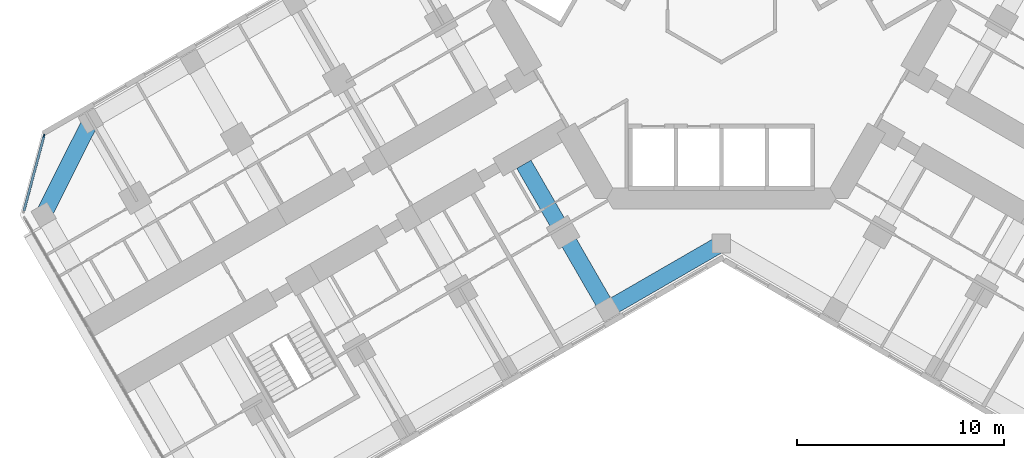
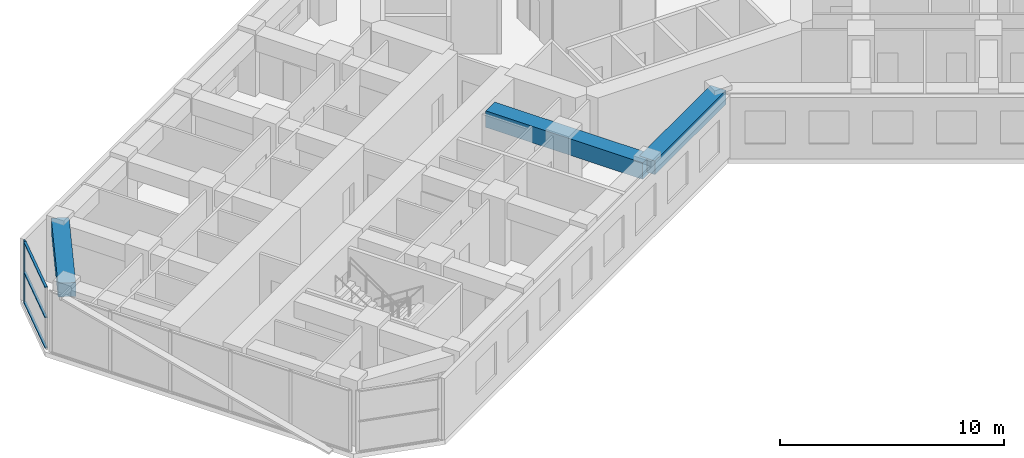
# One storey, part 3 of 21: 4 members, 3 beams, 1 element without a shape of its own.
"""IFC4 building model written with IfcOpenShell, lengths in metres."""

from ifc_helpers import new_model, si_unit, direction, frame, origin, origin_2d, place, context, subcontext, project, spatial, rectangle, extrude, material, material_profile, profile_set, type_object, element, aggregate, save


model = new_model("IFC4")

# Units and contexts
model_context = context("Model", 3, precision=1e-05, world=origin(), true_north=direction((0.0, 1.0)))
body_context = subcontext(model_context, "Body", "Model", "MODEL_VIEW")
ifc_project = project(units=[si_unit("LENGTHUNIT", "METRE"), si_unit("AREAUNIT", "SQUARE_METRE"), si_unit("VOLUMEUNIT", "CUBIC_METRE"), si_unit("PLANEANGLEUNIT", "RADIAN"), si_unit("MASSUNIT", "GRAM", prefix="KILO")], contexts=[model_context])

# Site, building, storey
site_placement = place(None, origin())
site = spatial("IfcSite", under=ifc_project, at=site_placement, CompositionType="ELEMENT")
building_placement = place(site_placement, origin())
building = spatial("IfcBuilding", under=site, at=building_placement, Name="Kosmar Iwan School Tower", CompositionType="ELEMENT")
storey_placement = place(building_placement, frame((0.0, 0.0, 102.39990234375)))
storey = spatial("IfcBuildingStorey", under=building, at=storey_placement, Name="L25", CompositionType="ELEMENT", Elevation=102.39990234375)

# Curtain wall, member
ifc_material_1 = material(Name="Dark glass in black aluminium frame", Category="aluminium")
curtain_wall_type = type_object("IfcCurtainWallType", Name="Chamfer curtain wall dark glass", PredefinedType="USERDEFINED", material=ifc_material_1)
curtain_wall_placement = place(storey_placement, origin())
curtain_wall = element("IfcCurtainWall", 1, at=curtain_wall_placement, inside=storey, type_object=curtain_wall_type, Name="Curtain wall L25-F12", ObjectType="FACETED CURTAIN WALL", PredefinedType="USERDEFINED")
ifc_material_2 = material(Name="Black anodised aluminium", Category="aluminium")
ifc_material_profile_1 = material_profile(ifc_material_2, rectangle(XDim=0.06005859375, YDim=0.159912109375, at=origin_2d()), Name="MULLION 60x160")
ifc_profile_set_1 = profile_set([ifc_material_profile_1], Name="Black anodised aluminium")
member_type_1 = type_object("IfcMemberType", Name="Mullion 60x160", PredefinedType="MULLION", material=ifc_profile_set_1)
member_1_placement = place(storey_placement, frame((-32.78076171875, -6.5732421875, 0.0), z_axis=(0.0, 0.0, 1.0), x_axis=(0.965925875495, -0.258818861462, 0.0)))
member_1 = element("IfcMember", 2, at=member_1_placement, type_object=member_type_1, Name="CW2 mullion 1", PredefinedType="MULLION", context=body_context, shape_type="SweptSolid", body=[
    extrude(rectangle(XDim=0.06005859375, YDim=0.159912109375, at=origin_2d()), origin(), (0.0, 0.0, 1.0), 3.35009765625),
])

# Beams
ifc_material_3 = material(Name="Concrete C50/60", Category="concrete")
ifc_material_profile_2 = material_profile(ifc_material_3, rectangle(XDim=0.800048828125, YDim=0.75, at=origin_2d()), Name="RC 800x750")
ifc_profile_set_2 = profile_set([ifc_material_profile_2], Name="Concrete C50/60")
beam_type_1 = type_object("IfcBeamType", Name="RC edge beam 800x750", PredefinedType="BEAM", material=ifc_profile_set_2)
beam_1_placement = place(storey_placement, frame((0.0, -11.77783203125, 2.97509765625), z_axis=(-0.866014293216, -0.500019243575, 0.0), x_axis=(0.500019243575, -0.866014293216, 0.0)))
element("IfcBeam", 3, at=beam_1_placement, inside=storey, type_object=beam_type_1, Name="Edge beam BL1", PredefinedType="BEAM", context=body_context, shape_type="SweptSolid", body=[
    extrude(rectangle(XDim=0.800048828125, YDim=0.75, at=origin_2d()), origin(), (0.0, 0.0, 1.0), 6.361083984375),
])
ifc_material_4 = material(Name="Concrete C50/60", Category="concrete")
ifc_material_profile_3 = material_profile(ifc_material_4, rectangle(XDim=0.800048828125, YDim=0.75, at=origin_2d()), Name="RC 800x750")
ifc_profile_set_3 = profile_set([ifc_material_profile_3], Name="Concrete C50/60")
beam_type_2 = type_object("IfcBeamType", Name="RC tip beam 800x750", PredefinedType="BEAM", material=ifc_profile_set_3)
beam_2_placement = place(storey_placement, frame((-30.517822265625, -5.841552734375, 2.97509765625), z_axis=(-0.44809604203, -0.893985423325, 0.0), x_axis=(0.893985423325, -0.44809604203, 0.0)))
element("IfcBeam", 4, at=beam_2_placement, inside=storey, type_object=beam_type_2, Name="Tip beam BR", PredefinedType="BEAM", context=body_context, shape_type="SweptSolid", body=[
    extrude(rectangle(XDim=0.800048828125, YDim=0.75, at=origin_2d()), origin(), (0.0, 0.0, 1.0), 5.08935546875),
])
ifc_material_5 = material(Name="Concrete C50/60", Category="concrete")
ifc_material_profile_4 = material_profile(ifc_material_5, rectangle(XDim=0.800048828125, YDim=0.89990234375, at=origin_2d()), Name="RC 800x900")
ifc_profile_set_4 = profile_set([ifc_material_profile_4], Name="Concrete C50/60")
beam_type_3 = type_object("IfcBeamType", Name="RC transverse beam 800x900", PredefinedType="BEAM", material=ifc_profile_set_4)
beam_3_placement = place(storey_placement, frame((-5.5087890625, -14.95849609375, 2.900146484375), z_axis=(-0.499999880539, 0.866025472755, 0.0), x_axis=(-0.866025472755, -0.499999880539, 0.0)))
element("IfcBeam", 5, at=beam_3_placement, inside=storey, type_object=beam_type_3, Name="Transverse beam BL1", PredefinedType="BEAM", context=body_context, shape_type="SweptSolid", body=[
    extrude(rectangle(XDim=0.800048828125, YDim=0.89990234375, at=origin_2d()), origin(), (0.0, 0.0, 1.0), 8.10009765625),
])

# Member
ifc_material_6 = material(Name="Black anodised aluminium", Category="aluminium")
ifc_material_profile_5 = material_profile(ifc_material_6, rectangle(XDim=0.1201171875, YDim=0.06005859375, at=origin_2d()), Name="TRANSOM 60x120")
ifc_profile_set_5 = profile_set([ifc_material_profile_5], Name="Black anodised aluminium")
member_type_2 = type_object("IfcMemberType", Name="Transom 60x120", PredefinedType="USERDEFINED", material=ifc_profile_set_5)
member_2_placement = place(storey_placement, frame((-32.788330078125, -6.602294921875, 0.030029296875), z_axis=(-0.258843273983, -0.965919333854, 0.0), x_axis=(0.965919333854, -0.258843273983, 0.0)))
member_2 = element("IfcMember", 6, at=member_2_placement, type_object=member_type_2, Name="CW2 transom 1.1", ObjectType="TRANSOM", PredefinedType="USERDEFINED", context=body_context, shape_type="SweptSolid", body=[
    extrude(rectangle(XDim=0.1201171875, YDim=0.06005859375, at=origin_2d()), origin(), (0.0, 0.0, 1.0), 3.718994140625),
])

member_3_placement = place(storey_placement, frame((-32.788330078125, -6.602294921875, 1.675048828125), z_axis=(-0.258843273983, -0.965919333854, 0.0), x_axis=(0.965919333854, -0.258843273983, 0.0)))
member_3 = element("IfcMember", 7, at=member_3_placement, type_object=member_type_2, Name="CW2 transom 1.2", ObjectType="TRANSOM", PredefinedType="USERDEFINED", context=body_context, shape_type="SweptSolid", body=[
    extrude(rectangle(XDim=0.1201171875, YDim=0.06005859375, at=origin_2d()), origin(), (0.0, 0.0, 1.0), 3.718994140625),
])

member_4_placement = place(storey_placement, frame((-32.788330078125, -6.602294921875, 3.320068359375), z_axis=(-0.258843273983, -0.965919333854, 0.0), x_axis=(0.965919333854, -0.258843273983, 0.0)))
member_4 = element("IfcMember", 8, at=member_4_placement, type_object=member_type_2, Name="CW2 transom 1.3", ObjectType="TRANSOM", PredefinedType="USERDEFINED", context=body_context, shape_type="SweptSolid", body=[
    extrude(rectangle(XDim=0.1201171875, YDim=0.06005859375, at=origin_2d()), origin(), (0.0, 0.0, 1.0), 3.718994140625),
])

aggregate(curtain_wall, [member_1, member_2, member_3, member_4])

save(model, "model.ifc")
